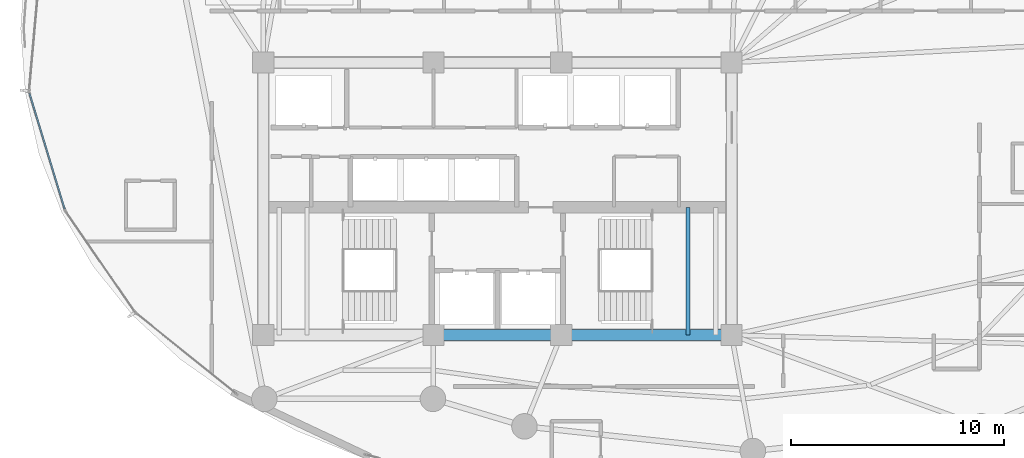
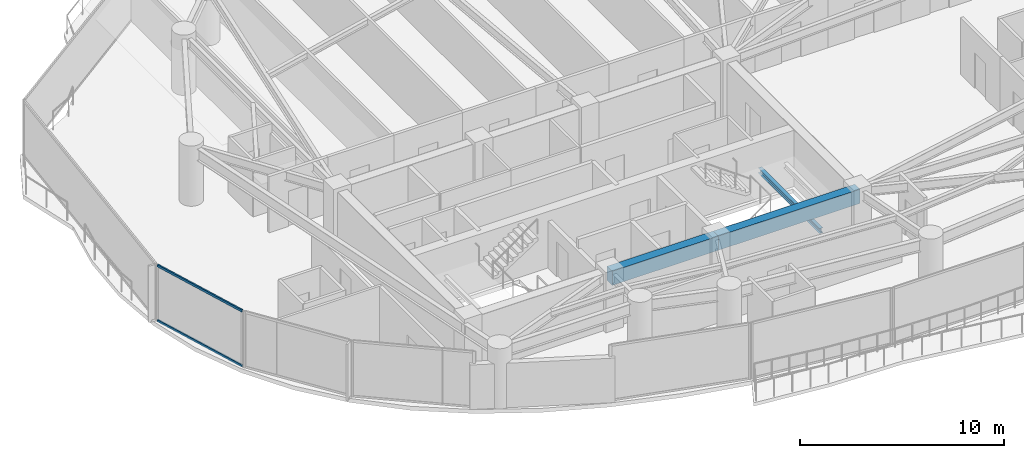
# One storey, part 7 of 33: 3 beams, 2 members, 1 element without a shape of its own.
"""IFC4 building model written with IfcOpenShell, lengths in metres."""

from ifc_helpers import new_model, si_unit, direction, frame, origin, origin_2d, place, context, subcontext, project, spatial, rectangle, hollow_rectangle, i_section, extrude, material, layer, layer_set, material_profile, profile_set, type_object, element, aggregate, save


model = new_model("IFC4")

# Units and contexts
model_context = context("Model", 3, precision=1e-05, world=origin(), true_north=direction((0.0, 1.0)))
body_context = subcontext(model_context, "Body", "Model", "MODEL_VIEW")
ifc_project = project(units=[si_unit("LENGTHUNIT", "METRE"), si_unit("AREAUNIT", "SQUARE_METRE"), si_unit("VOLUMEUNIT", "CUBIC_METRE"), si_unit("PLANEANGLEUNIT", "RADIAN"), si_unit("MASSUNIT", "GRAM", prefix="KILO")], contexts=[model_context])

# Site, building, storey
site_placement = place(None, origin())
site = spatial("IfcSite", under=ifc_project, at=site_placement, CompositionType="ELEMENT")
building_placement = place(site_placement, origin())
building = spatial("IfcBuilding", under=site, at=building_placement, Name="Kazevale Care Tower and Concert Hall", CompositionType="ELEMENT")
storey_placement = place(building_placement, frame((0.0, 0.0, 145.800048828125)))
storey = spatial("IfcBuildingStorey", under=building, at=storey_placement, Name="L38", CompositionType="ELEMENT", Elevation=145.800048828125)

# Curtain wall, members
ifc_material_1 = material(Name="Aluminium 6063-T6 and Low-E Glass", Category="aluminium")
ifc_layer = layer(ifc_material_1, 0.179931640625)
ifc_layer_set = layer_set([ifc_layer], Name="Aluminium 6063-T6 and Low-E Glass")
curtain_wall_type = type_object("IfcCurtainWallType", Name="Waist & Upper Residential Curtain Wall CW-4", PredefinedType="NOTDEFINED", material=ifc_layer_set)
curtain_wall_placement = place(storey_placement, origin())
curtain_wall = element("IfcCurtainWall", 1, at=curtain_wall_placement, inside=storey, type_object=curtain_wall_type, Name="cw:L38:f12", PredefinedType="NOTDEFINED")
ifc_material_2 = material(Name="Aluminium 6063-T6", Category="aluminium")
ifc_material_profile_1 = material_profile(ifc_material_2, hollow_rectangle(XDim=0.080078125, YDim=0.139892578125, WallThickness=0.00390625, at=origin_2d()), Name="ALU80x140x4")
ifc_profile_set_1 = profile_set([ifc_material_profile_1], Name="Aluminium 6063-T6")
member_type = type_object("IfcMemberType", Name="CW-4 Transom ALU80x140x4", PredefinedType="USERDEFINED", material=ifc_profile_set_1)
member_1_placement = place(storey_placement, frame((12.669677734375, 29.517578125, 0.0400390625), z_axis=(-0.290964759976, 0.956733770937, 0.0), x_axis=(-0.956733770937, -0.290964759976, 0.0)))
member_1 = element("IfcMember", 2, at=member_1_placement, type_object=member_type, Name="CW-4 transom 1.1", ObjectType="TRANSOM", PredefinedType="USERDEFINED", context=body_context, shape_type="SweptSolid", body=[
    extrude(hollow_rectangle(XDim=0.080078125, YDim=0.139892578125, WallThickness=0.00390625, at=origin_2d()), origin(), (0.0, 0.0, 1.0), 5.675537109375),
])
member_2_placement = place(storey_placement, frame((12.669677734375, 29.517578125, 3.320068359375), z_axis=(-0.290964759976, 0.956733770937, 0.0), x_axis=(-0.956733770937, -0.290964759976, 0.0)))
member_2 = element("IfcMember", 3, at=member_2_placement, type_object=member_type, Name="CW-4 transom 1.2", ObjectType="TRANSOM", PredefinedType="USERDEFINED", context=body_context, shape_type="SweptSolid", body=[
    extrude(hollow_rectangle(XDim=0.080078125, YDim=0.139892578125, WallThickness=0.00390625, at=origin_2d()), origin(), (0.0, 0.0, 1.0), 5.675537109375),
])
aggregate(curtain_wall, [member_1, member_2])

# Beams
ifc_material_3 = material(Name="Concrete C60", Category="concrete")
ifc_material_profile_2 = material_profile(ifc_material_3, rectangle(XDim=0.5, YDim=0.85009765625, at=origin_2d()), Name="RC-B500x850")
ifc_profile_set_2 = profile_set([ifc_material_profile_2], Name="Concrete C60")
beam_type_1 = type_object("IfcBeamType", Name="Core Coupling Beam RC500x850", PredefinedType="LINTEL", material=ifc_profile_set_2)
beam_1_placement = place(storey_placement, frame((30.0, 23.60009765625, 2.93505859375), z_axis=(1.0, 0.0, 0.0), x_axis=(0.0, 1.0, 0.0)))
element("IfcBeam", 4, at=beam_1_placement, inside=storey, type_object=beam_type_1, Name="beam:L38:coretie:2", PredefinedType="LINTEL", context=body_context, shape_type="SweptSolid", body=[
    extrude(rectangle(XDim=0.5, YDim=0.85009765625, at=origin_2d()), origin(), (0.0, 0.0, 1.0), 6.0),
])
beam_2_placement = place(storey_placement, frame((36.0, 23.60009765625, 2.93505859375), z_axis=(1.0, 0.0, 0.0), x_axis=(0.0, 1.0, 0.0)))
element("IfcBeam", 5, at=beam_2_placement, inside=storey, type_object=beam_type_1, Name="beam:L38:coretie:3", PredefinedType="LINTEL", context=body_context, shape_type="SweptSolid", body=[
    extrude(rectangle(XDim=0.5, YDim=0.85009765625, at=origin_2d()), origin(), (0.0, 0.0, 1.0), 8.0),
])
ifc_material_4 = material(Name="Steel ASTM A572 Gr 50", Category="steel")
ifc_material_profile_3 = material_profile(ifc_material_4, i_section(OverallWidth=0.202880859375, OverallDepth=0.302978515625, WebThickness=0.007568359375, FlangeThickness=0.01318359375, at=origin_2d()), Name="W310x60")
ifc_profile_set_3 = profile_set([ifc_material_profile_3], Name="Steel ASTM A572 Gr 50")
beam_type_2 = type_object("IfcBeamType", Name="Stair & Balcony Trimmer W310x60", PredefinedType="BEAM", material=ifc_profile_set_3)
beam_3_placement = place(storey_placement, frame((41.949951171875, 23.60009765625, 1.448486328125), z_axis=(0.0, 1.0, 0.0), x_axis=(-1.0, 0.0, 0.0)))
element("IfcBeam", 6, at=beam_3_placement, inside=storey, type_object=beam_type_2, Name="beam:L38:sttrim:ST2", PredefinedType="BEAM", context=body_context, shape_type="SweptSolid", body=[
    extrude(i_section(OverallWidth=0.202880859375, OverallDepth=0.302978515625, WebThickness=0.007568359375, FlangeThickness=0.01318359375, at=origin_2d()), origin(), (0.0, 0.0, 1.0), 6.0),
])

save(model, "model.ifc")
